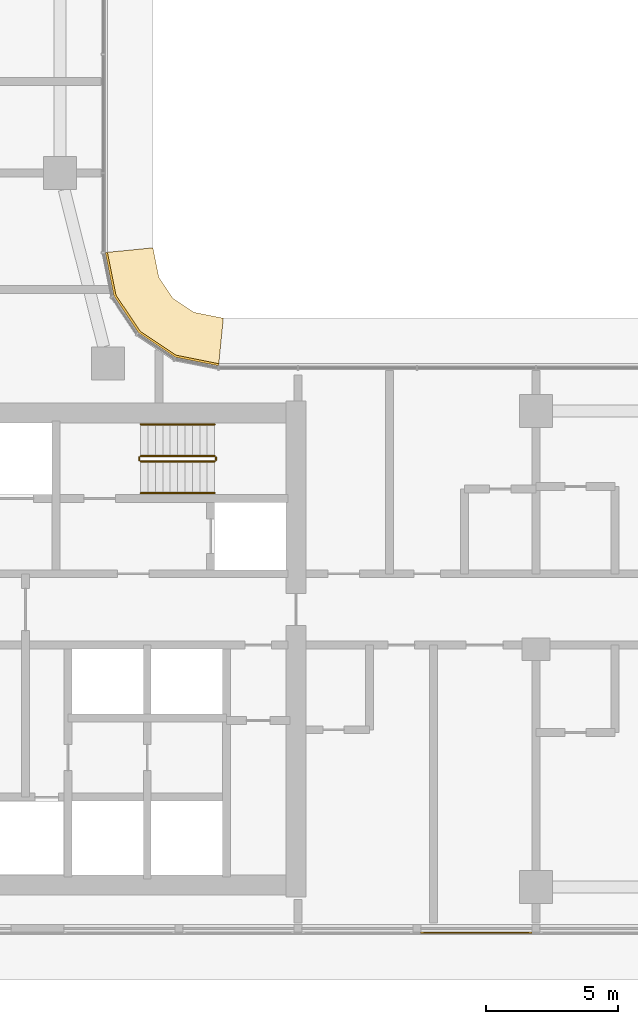
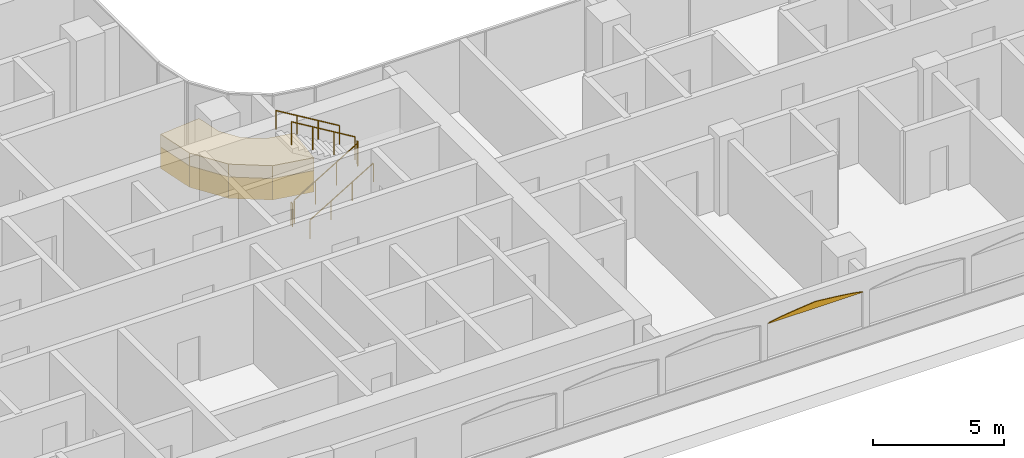
# One storey, part 20 of 25: 6 railings, 3 coverings.
"""IFC4 building model written with IfcOpenShell, lengths in metres."""

from ifc_helpers import new_model, si_unit, direction, frame, origin, origin_2d, place, context, subcontext, project, spatial, polyline, circle, outline, extrude, material, layer, layer_set, type_object, element, save


model = new_model("IFC4")

# Units and contexts
model_context = context("Model", 3, precision=1e-05, world=origin(), true_north=direction((0.0, 1.0)))
body_context = subcontext(model_context, "Body", "Model", "MODEL_VIEW")
ifc_project = project(units=[si_unit("LENGTHUNIT", "METRE"), si_unit("AREAUNIT", "SQUARE_METRE"), si_unit("VOLUMEUNIT", "CUBIC_METRE"), si_unit("PLANEANGLEUNIT", "RADIAN"), si_unit("MASSUNIT", "GRAM", prefix="KILO")], contexts=[model_context])

# Site, building, storey
site_placement = place(None, origin())
site = spatial("IfcSite", under=ifc_project, at=site_placement, CompositionType="ELEMENT")
building_placement = place(site_placement, origin())
building = spatial("IfcBuilding", under=site, at=building_placement, Name="Ogive Portal Towers", CompositionType="ELEMENT")
storey_placement = place(building_placement, frame((0.0, 0.0, 124.10009765625)))
storey = spatial("IfcBuildingStorey", under=building, at=storey_placement, Name="L30", CompositionType="ELEMENT", Elevation=124.10009765625)

# Railings
ifc_material_1 = material(Name="Stainless steel balustrade", Category="steel")
railing_type_1 = type_object("IfcRailingType", Name="INT-GUARD", PredefinedType="GUARDRAIL", material=ifc_material_1)
railing_1_placement = place(storey_placement, frame((52.550048828125, 37.60009765625, 0.16796875)))
element("IfcRailing", 1, at=railing_1_placement, inside=storey, type_object=railing_type_1, Name="L30 ST-A2 stair guard 1", PredefinedType="GUARDRAIL", context=body_context, shape_type="SweptSolid", body=[
    extrude(circle(Radius=0.02392578125, at=origin_2d()), frame((0.0, 0.0, 1.076171875), z_axis=(0.857242210791, 0.0, 0.514913383045), x_axis=(0.0, 1.0, 0.0)), (0.0, 0.0, 1.0), 3.266357421875),
    extrude(circle(Radius=0.02099609375, at=origin_2d()), origin(), (0.0, 0.0, 1.0), 1.052001953125),
    extrude(circle(Radius=0.02099609375, at=origin_2d()), frame((0.933349609375, 0.0, 0.560546875)), (0.0, 0.0, 1.0), 1.052001953125),
    extrude(circle(Radius=0.02099609375, at=origin_2d()), frame((1.86669921875, 0.0, 1.121337890625)), (0.0, 0.0, 1.0), 1.052001953125),
    extrude(circle(Radius=0.02099609375, at=origin_2d()), frame((2.800048828125, 0.0, 1.681884765625)), (0.0, 0.0, 1.0), 1.052001953125),
])
railing_2_placement = place(storey_placement, frame((55.39990234375, 37.64990234375, 1.849853515625)))
element("IfcRailing", 2, at=railing_2_placement, inside=storey, type_object=railing_type_1, Name="L30 ST-A2 stair guard 2", PredefinedType="GUARDRAIL", context=body_context, shape_type="SweptSolid", body=[
    extrude(circle(Radius=0.02392578125, at=origin_2d()), frame((0.0, 0.0, 1.076171875), z_axis=(0.0, 1.0, 0.0), x_axis=(-1.0, 0.0, 0.0)), (0.0, 0.0, 1.0), 0.10009765625),
    extrude(circle(Radius=0.02099609375, at=origin_2d()), origin(), (0.0, 0.0, 1.0), 1.052001953125),
    extrude(circle(Radius=0.02099609375, at=origin_2d()), frame((0.0, 0.10009765625, 0.0)), (0.0, 0.0, 1.0), 1.052001953125),
])
railing_3_placement = place(storey_placement, frame((55.35009765625, 37.800048828125, 2.01806640625)))
element("IfcRailing", 3, at=railing_3_placement, inside=storey, type_object=railing_type_1, Name="L30 ST-A2 stair guard 3", PredefinedType="GUARDRAIL", context=body_context, shape_type="SweptSolid", body=[
    extrude(circle(Radius=0.02392578125, at=origin_2d()), frame((0.0, 0.0, 1.076171875), z_axis=(-0.857242210791, 0.0, 0.514913383045), x_axis=(0.0, -1.0, 0.0)), (0.0, 0.0, 1.0), 3.266357421875),
    extrude(circle(Radius=0.02099609375, at=origin_2d()), origin(), (0.0, 0.0, 1.0), 1.052001953125),
    extrude(circle(Radius=0.02099609375, at=origin_2d()), frame((-0.933349609375, 0.0, 0.560546875)), (0.0, 0.0, 1.0), 1.052001953125),
    extrude(circle(Radius=0.02099609375, at=origin_2d()), frame((-1.86669921875, 0.0, 1.121337890625)), (0.0, 0.0, 1.0), 1.052001953125),
    extrude(circle(Radius=0.02099609375, at=origin_2d()), frame((-2.800048828125, 0.0, 1.681884765625)), (0.0, 0.0, 1.0), 1.052001953125),
])
railing_4_placement = place(storey_placement, frame((52.5, 37.64990234375, 0.0)))
element("IfcRailing", 4, at=railing_4_placement, inside=storey, type_object=railing_type_1, Name="L30 ST-A2 stair guard 4", PredefinedType="GUARDRAIL", context=body_context, shape_type="SweptSolid", body=[
    extrude(circle(Radius=0.02392578125, at=origin_2d()), frame((0.0, 0.0, 1.076171875), z_axis=(0.0, 1.0, 0.0), x_axis=(-1.0, 0.0, 0.0)), (0.0, 0.0, 1.0), 0.10009765625),
    extrude(circle(Radius=0.02099609375, at=origin_2d()), origin(), (0.0, 0.0, 1.0), 1.052001953125),
    extrude(circle(Radius=0.02099609375, at=origin_2d()), frame((0.0, 0.10009765625, 0.0)), (0.0, 0.0, 1.0), 1.052001953125),
])
ifc_material_2 = material(Name="Stainless steel handrail", Category="steel")
railing_type_2 = type_object("IfcRailingType", Name="INT-HANDRAIL", PredefinedType="HANDRAIL", material=ifc_material_2)
railing_5_placement = place(storey_placement, frame((52.550048828125, 36.39990234375, 0.16796875)))
element("IfcRailing", 5, at=railing_5_placement, inside=storey, type_object=railing_type_2, Name="L30 ST-A2 stair handrail 1", PredefinedType="HANDRAIL", context=body_context, shape_type="SweptSolid", body=[
    extrude(circle(Radius=0.02392578125, at=origin_2d()), frame((0.0, 0.0, 0.8759765625), z_axis=(0.857242210791, 0.0, 0.514913383045), x_axis=(0.0, 1.0, 0.0)), (0.0, 0.0, 1.0), 3.266357421875),
    extrude(circle(Radius=0.02099609375, at=origin_2d()), origin(), (0.0, 0.0, 1.0), 0.851806640625),
    extrude(circle(Radius=0.02099609375, at=origin_2d()), frame((0.933349609375, 0.0, 0.560546875)), (0.0, 0.0, 1.0), 0.851806640625),
    extrude(circle(Radius=0.02099609375, at=origin_2d()), frame((1.86669921875, 0.0, 1.121337890625)), (0.0, 0.0, 1.0), 0.851806640625),
    extrude(circle(Radius=0.02099609375, at=origin_2d()), frame((2.800048828125, 0.0, 1.681884765625)), (0.0, 0.0, 1.0), 0.851806640625),
])
railing_6_placement = place(storey_placement, frame((55.35009765625, 39.0, 2.01806640625)))
element("IfcRailing", 6, at=railing_6_placement, inside=storey, type_object=railing_type_2, Name="L30 ST-A2 stair handrail 2", PredefinedType="HANDRAIL", context=body_context, shape_type="SweptSolid", body=[
    extrude(circle(Radius=0.02392578125, at=origin_2d()), frame((0.0, 0.0, 0.8759765625), z_axis=(-0.857242210791, 0.0, 0.514913383045), x_axis=(0.0, -1.0, 0.0)), (0.0, 0.0, 1.0), 3.266357421875),
    extrude(circle(Radius=0.02099609375, at=origin_2d()), origin(), (0.0, 0.0, 1.0), 0.851806640625),
    extrude(circle(Radius=0.02099609375, at=origin_2d()), frame((-0.933349609375, 0.0, 0.560546875)), (0.0, 0.0, 1.0), 0.851806640625),
    extrude(circle(Radius=0.02099609375, at=origin_2d()), frame((-1.86669921875, 0.0, 1.121337890625)), (0.0, 0.0, 1.0), 0.851806640625),
    extrude(circle(Radius=0.02099609375, at=origin_2d()), frame((-2.800048828125, 0.0, 1.681884765625)), (0.0, 0.0, 1.0), 0.851806640625),
])

# Coverings
ifc_material_3 = material(Name="Limestone cladding on lightweight block wall", Category="masonry")
ifc_layer_1 = layer(ifc_material_3, 0.0400390625)
ifc_layer_set_1 = layer_set([ifc_layer_1], Name="LANCET HEAD STONE")
covering_type_1 = type_object("IfcCoveringType", Name="LANCET HEAD STONE", PredefinedType="CLADDING", material=ifc_layer_set_1)
covering_1_placement = place(storey_placement, frame((63.14990234375, 19.784912109375, 2.599853515625), z_axis=(0.0, 0.999955602034, 0.009423054701), x_axis=(1.0, 0.0, 0.0)))
element("IfcCovering", 7, at=covering_1_placement, inside=storey, type_object=covering_type_1, Name="Lancet head", PredefinedType="CLADDING", context=body_context, shape_type="SweptSolid", body=[
    extrude(outline(polyline([(0.0, 0.0), (4.2001953125, 0.0), (4.107177734375, -0.037598287541017614), (3.9375, -0.07495474584684635), (3.7177734375, -0.11255303338786396), (3.45751953125, -0.15015362147934563), (3.162353515625, -0.1875077792347103), (2.836181640625, -0.22510836732619197), (2.481201171875, -0.2624625250815566), (2.10009765625, -0.30006311317303835), (1.718994140625, -0.2624625250815566), (1.364013671875, -0.22510836732619197), (1.037841796875, -0.1875077792347103), (0.74267578125, -0.15015362147934563), (0.482421875, -0.11255303338786396), (0.2626953125, -0.07495474584684635), (0.093017578125, -0.037598287541017614), (0.0, 0.0)])), origin(), (0.0, 0.0, -1.0), 0.0400390625),
])
ifc_layer_2 = layer(ifc_material_3, 0.080078125)
ifc_layer_set_2 = layer_set([ifc_layer_2], Name="STONE SPANDREL 80")
covering_type_2 = type_object("IfcCoveringType", Name="STONE SPANDREL 80", PredefinedType="CLADDING", material=ifc_layer_set_2)
covering_2_placement = place(storey_placement, frame((0.0, 0.0, -1.60009765625)))
element("IfcCovering", 8, at=covering_2_placement, inside=storey, type_object=covering_type_2, Name="Stone spandrel A1-F10", PredefinedType="CLADDING", context=body_context, shape_type="SweptSolid", body=[
    extrude(outline(polyline([(55.5, 41.215087890625), (53.860107421875, 41.541259765625), (52.469970703125, 42.469970703125), (51.541259765625, 43.860107421875), (51.215087890625, 45.5), (51.294921875, 45.5078125), (51.616455078125, 43.891357421875), (52.52783203125, 42.52783203125), (53.891357421875, 41.616455078125), (55.5078125, 41.294921875), (55.5, 41.215087890625)])), origin(), (0.0, 0.0, 1.0), 1.0),
])
ifc_layer_3 = layer(ifc_material_3, 0.60009765625)
ifc_layer_set_3 = layer_set([ifc_layer_3], Name="SUNSHADE LIP 600")
covering_type_3 = type_object("IfcCoveringType", Name="SUNSHADE LIP 600", PredefinedType="CLADDING", material=ifc_layer_set_3)
covering_3_placement = place(storey_placement, frame((0.0, 0.0, -0.60009765625)))
element("IfcCovering", 9, at=covering_3_placement, inside=storey, type_object=covering_type_3, Name="Sunshade lip A1-F10", PredefinedType="CLADDING", context=body_context, shape_type="SweptSolid", body=[
    extrude(outline(polyline([(55.5, 41.215087890625), (53.860107421875, 41.541259765625), (52.469970703125, 42.469970703125), (51.541259765625, 43.860107421875), (51.215087890625, 45.5), (53.014892578125, 45.67724609375), (53.23681640625, 44.5625), (53.767822265625, 43.767822265625), (54.5625, 43.23681640625), (55.67724609375, 43.014892578125), (55.5, 41.215087890625)])), origin(), (0.0, 0.0, 1.0), 0.60009765625),
])

save(model, "model.ifc")
